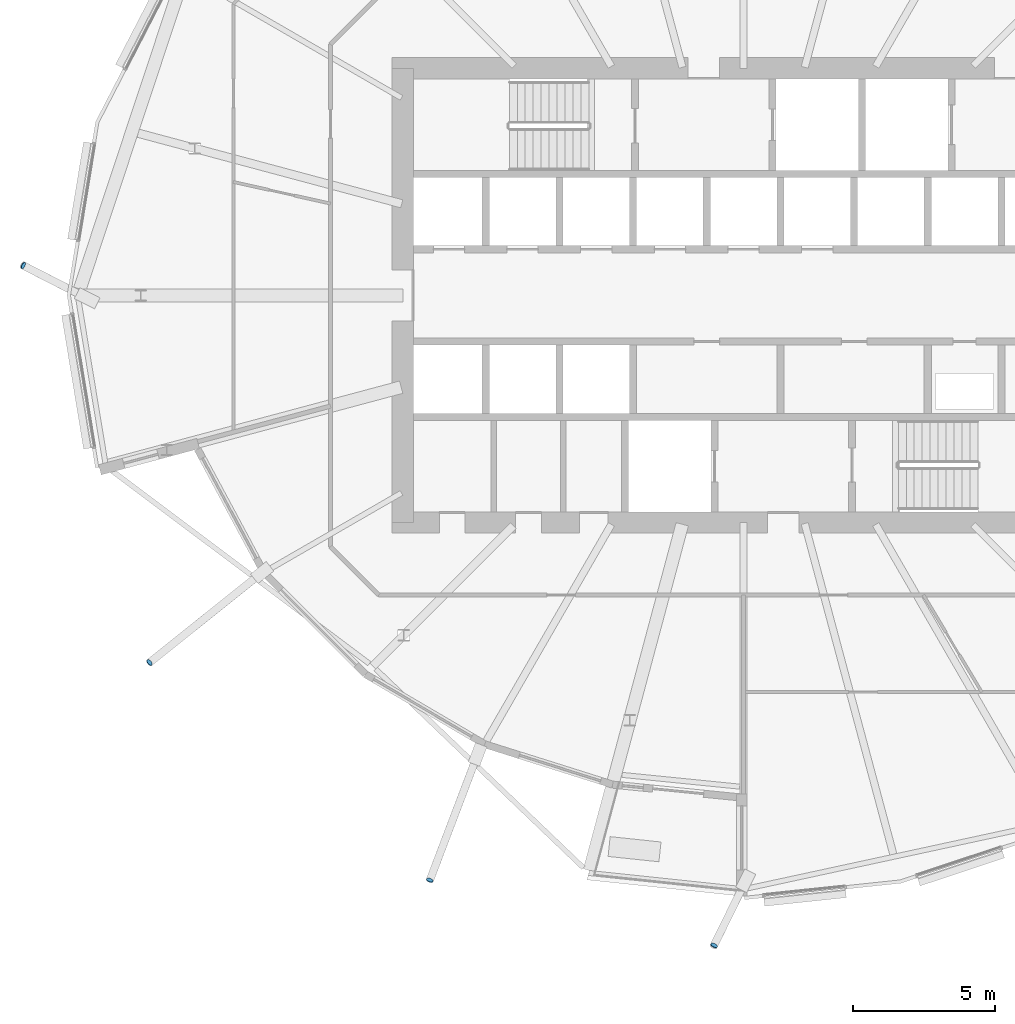
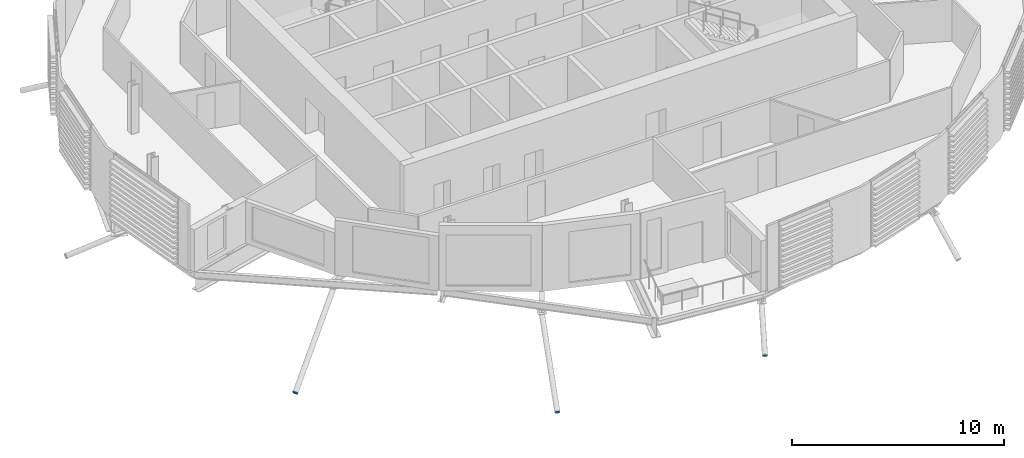
# One storey, part 29 of 43: 4 discrete accessories.
"""IFC4 building model written with IfcOpenShell, lengths in metres."""

import ifcopenshell
import ifcopenshell.guid

model = None  # the IFC model being written
_history = None  # IfcOwnerHistory: only IFC2X3 demands one
_inside = {}  # id of a spatial element -> (the spatial element, [elements in it])
_under = {}  # id of a project, library or spatial element -> (it, [spatial elements below it])
_declared = {}  # id of a project -> (the project, [libraries it declares])
_typed = {}  # id of a type object -> (the type object, [elements of that type])
_made_of = {}  # id of a material, layer set ... -> (it, [elements and type objects made of it])


def new_model(schema):
    """Start an empty IFC model of exactly this schema.

    Asked for "IFC4X3", IfcOpenShell would pick the latest addendum, in which some entities
    have other attributes; the version numbers below select the first issue.
    IFC2X3 requires an IfcOwnerHistory on every rooted entity: one is made here for all.
    """
    global model, _history
    if schema == "IFC4X3":
        model = ifcopenshell.file(schema_version=(4, 3, 0, 0))
    else:
        model = ifcopenshell.file(schema=schema)
    _inside.clear()
    _under.clear()
    _declared.clear()
    _typed.clear()
    _made_of.clear()
    _history = None
    if model.schema == "IFC2X3":
        org = make("IfcOrganization", Name="unknown")
        user = make(
            "IfcPersonAndOrganization",
            ThePerson=make("IfcPerson", FamilyName="unknown"),
            TheOrganization=org,
        )
        app = make(
            "IfcApplication",
            ApplicationDeveloper=org,
            Version="unknown",
            ApplicationFullName="unknown",
            ApplicationIdentifier="unknown",
        )
        _history = make(
            "IfcOwnerHistory",
            OwningUser=user,
            OwningApplication=app,
            ChangeAction="ADDED",
            CreationDate=0,
        )
    return model


def make(cls, **values):
    """One entity of the class cls with the attributes given. An attribute that is None is left unset."""
    return model.create_entity(
        cls, **{name: value for name, value in values.items() if value is not None}
    )


def rooted(cls, **values):
    """An entity with a GlobalId (a new one), such as an element, a storey or a relation."""
    return make(cls, GlobalId=ifcopenshell.guid.new(), OwnerHistory=_history, **values)


def si_unit(unit_type, name, prefix=None):
    """IfcSIUnit, for example si_unit("LENGTHUNIT", "METRE", prefix="MILLI")."""
    return make("IfcSIUnit", UnitType=unit_type, Prefix=prefix, Name=name)


def assignment(units):
    """IfcUnitAssignment: the units of a project."""
    return None if units is None else make("IfcUnitAssignment", Units=units)


def point(xyz):
    """IfcCartesianPoint."""
    return None if xyz is None else make("IfcCartesianPoint", Coordinates=xyz)


def direction(xyz):
    """IfcDirection."""
    return None if xyz is None else make("IfcDirection", DirectionRatios=xyz)


def frame(location, z_axis=None, x_axis=None):
    """IfcAxis2Placement3D, a coordinate frame: its origin and axes. An axis left out is left unset."""
    return make(
        "IfcAxis2Placement3D",
        Location=point(location),
        Axis=direction(z_axis),
        RefDirection=direction(x_axis),
    )


def frame_2d(location, x_axis=None):
    """IfcAxis2Placement2D, a coordinate frame in the plane: its origin and x axis."""
    return make(
        "IfcAxis2Placement2D", Location=point(location), RefDirection=direction(x_axis)
    )


def origin():
    """The frame at (0, 0, 0) with its axes left unset."""
    return frame((0.0, 0.0, 0.0))


def origin_2d():
    """The frame at (0, 0) in the plane with its x axis left unset."""
    return frame_2d((0.0, 0.0))


def place(relative_to, where):
    """IfcLocalPlacement: puts the frame where relative to a parent placement (None: the world)."""
    return make(
        "IfcLocalPlacement", PlacementRelTo=relative_to, RelativePlacement=where
    )


def context(
    kind, dimensions, precision=None, world=None, true_north=None, identifier=None
):
    """IfcGeometricRepresentationContext, for example the 3D "Model" context."""
    return make(
        "IfcGeometricRepresentationContext",
        ContextIdentifier=identifier,
        ContextType=kind,
        CoordinateSpaceDimension=dimensions,
        Precision=precision,
        WorldCoordinateSystem=world,
        TrueNorth=true_north,
    )


def subcontext(parent, identifier, kind, view, scale=None):
    """IfcGeometricRepresentationSubContext, for example "Body" below "Model"."""
    return make(
        "IfcGeometricRepresentationSubContext",
        ContextIdentifier=identifier,
        ContextType=kind,
        ParentContext=parent,
        TargetScale=scale,
        TargetView=view,
    )


def project(units=None, contexts=None):
    """IfcProject with its units and contexts."""
    return rooted(
        "IfcProject",
        Name="project",
        RepresentationContexts=contexts,
        UnitsInContext=assignment(units),
    )


def spatial(cls, under=None, at=None, **own):
    """A site, building, storey or space (cls), placed at a placement, below another one or the project."""
    s = rooted(cls, ObjectPlacement=at, **own)
    if under is not None:
        _under.setdefault(under.id(), (under, []))[1].append(s)
    return s


def profile(cls, at=None, kind="AREA", **sizes):
    """A parametric profile (cls). Its sizes go by their IFC names, for example OverallWidth=200.0."""
    return make(cls, ProfileType=kind, Position=at, **sizes)


def circle(**sizes):
    """IfcCircleProfileDef."""
    return profile("IfcCircleProfileDef", **sizes)


def extrude(swept, where, along, depth):
    """IfcExtrudedAreaSolid: the profile swept, set in the frame where, extruded along a direction by depth."""
    return make(
        "IfcExtrudedAreaSolid",
        SweptArea=swept,
        Position=where,
        ExtrudedDirection=direction(along),
        Depth=depth,
    )


def shape(context_of_items, identifier, shape_type, items):
    """IfcShapeRepresentation: the items that make up one representation, for example the "Body"."""
    return make(
        "IfcShapeRepresentation",
        ContextOfItems=context_of_items,
        RepresentationIdentifier=identifier,
        RepresentationType=shape_type,
        Items=items,
    )


def material(Name=None, Category=None):
    """IfcMaterial."""
    return make("IfcMaterial", Name=Name, Category=Category)


def material_profile(
    of_material, cross_section, Name=None, Category=None, Priority=None
):
    """IfcMaterialProfile: a cross section and its material."""
    return make(
        "IfcMaterialProfile",
        Name=Name,
        Material=of_material,
        Profile=cross_section,
        Priority=Priority,
        Category=Category,
    )


def profile_set(profiles, Name=None, composite=None):
    """IfcMaterialProfileSet."""
    return make(
        "IfcMaterialProfileSet",
        Name=Name,
        MaterialProfiles=profiles,
        CompositeProfile=composite,
    )


def made_of(thing, what):
    """Note that an element or type object is made of a material, layer set ...; save() writes the relation."""
    if what is not None:
        _made_of.setdefault(what.id(), (what, []))[1].append(thing)
    return thing


def type_object(cls, material=None, **own):
    """A type object (cls), such as IfcWallType, which elements share."""
    return made_of(rooted(cls, **own), material)


def element(
    cls,
    number,
    at=None,
    inside=None,
    cuts=None,
    type_object=None,
    material=None,
    context=None,
    identifier="Body",
    shape_type=None,
    held_by="IfcProductDefinitionShape",
    body=None,
    shapes=None,
    **own,
):
    """One element of the class cls, such as IfcWall. Its Tag is "e" and its number.

    at: its placement. inside: the storey or other place that contains it. cuts: it is an
    opening in that element (IfcRelVoidsElement). A single representation is given by context,
    identifier, shape_type and body (its items); several are given by shapes. held_by: the class
    of the entity that holds the representations. save() writes the other relations.
    """
    e = rooted(cls, Tag="e%d" % number, ObjectPlacement=at, **own)
    if body is not None:
        shapes = [shape(context, identifier, shape_type, body)]
    if shapes is not None:
        e.Representation = make(held_by, Representations=shapes)
    if inside is not None:
        _inside.setdefault(inside.id(), (inside, []))[1].append(e)
    if cuts is not None:
        rooted(
            "IfcRelVoidsElement", RelatingBuildingElement=cuts, RelatedOpeningElement=e
        )
    if type_object is not None:
        _typed.setdefault(type_object.id(), (type_object, []))[1].append(e)
    return made_of(e, material)


def aggregate(whole, parts):
    """IfcRelAggregates: a whole, such as a stair, and the parts it consists of."""
    return rooted("IfcRelAggregates", RelatingObject=whole, RelatedObjects=parts)


def save(model, path):
    """Write the relations noted so far, then the file.

    IfcRelAggregates (storeys below a building ...), IfcRelContainedInSpatialStructure (elements
    in a storey), IfcRelDefinesByType, IfcRelAssociatesMaterial and IfcRelDeclares: one each for
    every whole, place, type object, material and project.
    """
    for whole, parts in _under.values():
        aggregate(whole, parts)
    for where, things in _inside.values():
        rooted(
            "IfcRelContainedInSpatialStructure",
            RelatedElements=things,
            RelatingStructure=where,
        )
    for kind, things in _typed.values():
        rooted("IfcRelDefinesByType", RelatedObjects=things, RelatingType=kind)
    for what, things in _made_of.values():
        rooted("IfcRelAssociatesMaterial", RelatedObjects=things, RelatingMaterial=what)
    for by, libraries in _declared.values():
        rooted("IfcRelDeclares", RelatingContext=by, RelatedDefinitions=libraries)
    model.write(path)


model = new_model("IFC4")

# Units and contexts
model_context = context("Model", 3, precision=1e-05, world=origin(), true_north=direction((0.0, 1.0)))
body_context = subcontext(model_context, "Body", "Model", "MODEL_VIEW")
ifc_project = project(units=[si_unit("LENGTHUNIT", "METRE"), si_unit("AREAUNIT", "SQUARE_METRE"), si_unit("VOLUMEUNIT", "CUBIC_METRE"), si_unit("PLANEANGLEUNIT", "RADIAN"), si_unit("MASSUNIT", "GRAM", prefix="KILO")], contexts=[model_context])

# Site, building, storey
site_placement = place(None, origin())
site = spatial("IfcSite", under=ifc_project, at=site_placement, CompositionType="ELEMENT")
building_placement = place(site_placement, origin())
building = spatial("IfcBuilding", under=site, at=building_placement, Name="Rimbun Link Towers", CompositionType="ELEMENT")
storey_placement = place(building_placement, frame((0.0, 0.0, 81.60009765625)))
storey = spatial("IfcBuildingStorey", under=building, at=storey_placement, Name="L19", CompositionType="ELEMENT", Elevation=81.60009765625)

# Discrete accessories
ifc_material = material(Name="Steel S355J2H", Category="steel")
ifc_material_profile = material_profile(ifc_material, circle(Radius=0.1240234375, at=origin_2d()), Name="PL D248")
ifc_profile_set = profile_set([ifc_material_profile], Name="Steel S355J2H")
discrete_accessory_type = type_object("IfcDiscreteAccessoryType", Name="Link foot sealing plate D248X20", PredefinedType="BRACKET", material=ifc_profile_set)
for number, where, z_axis, x_axis, name in (
    (1, (-57.11328125, 1.050048828125, -2.572265625), (-0.808129607964, 0.404064803982, -0.428553579981), (-0.4472135955, -0.894427191, 0.0), "Link foot sealing plate T1 L19 12"),
    (2, (-52.668701171875, -12.926513671875, -3.53125), (-0.670382848063, -0.548495057506, -0.499739941283), (0.633237790257, -0.773957299203, 0.0), "Link foot sealing plate T1 L19 14"),
    (3, (-42.797119140625, -20.591552734375, -3.461181640625), (-0.305105010808, -0.817681428964, -0.488168017292), (0.936902592865, -0.349590519726, 0.0), "Link foot sealing plate T1 L19 16"),
    (4, (-32.788818359375, -22.886474609375, -2.277587890625), (-0.390360029179, -0.780720058359, -0.487950036474), (0.894427191, -0.4472135955, 0.0), "Link foot sealing plate T1 L19 18"),
):
    element("IfcDiscreteAccessory", number, at=place(storey_placement, frame(where, z_axis=z_axis, x_axis=x_axis)), inside=storey, type_object=discrete_accessory_type, Name=name, PredefinedType="BRACKET", context=body_context, shape_type="SweptSolid", body=[
        extrude(circle(Radius=0.1240234375, at=origin_2d()), origin(), (0.0, 0.0, 1.0), 0.02001953125),
    ])

save(model, "model.ifc")
